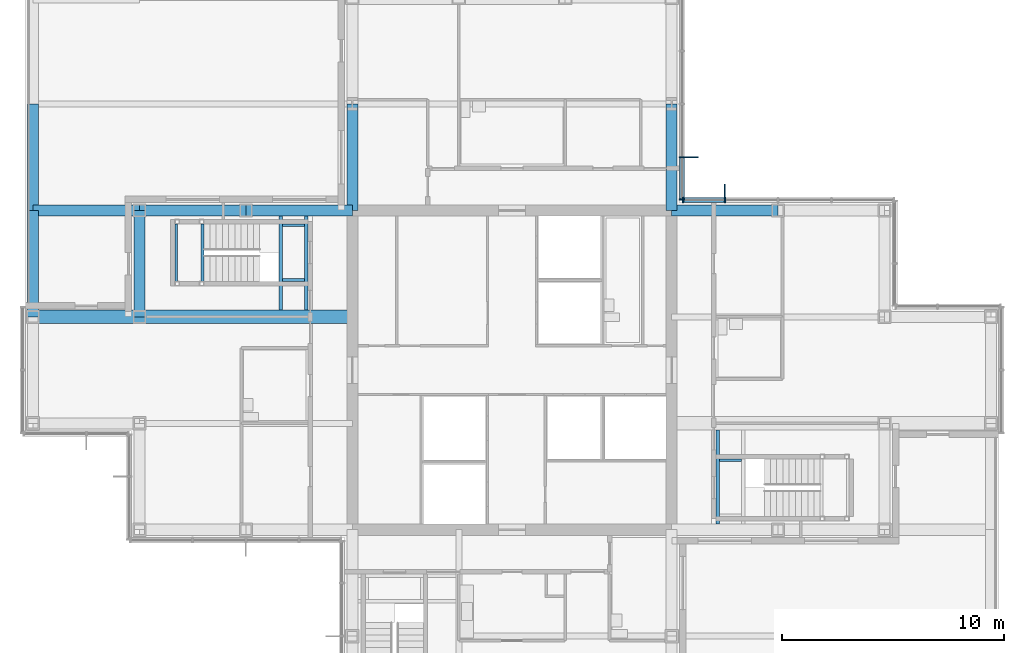
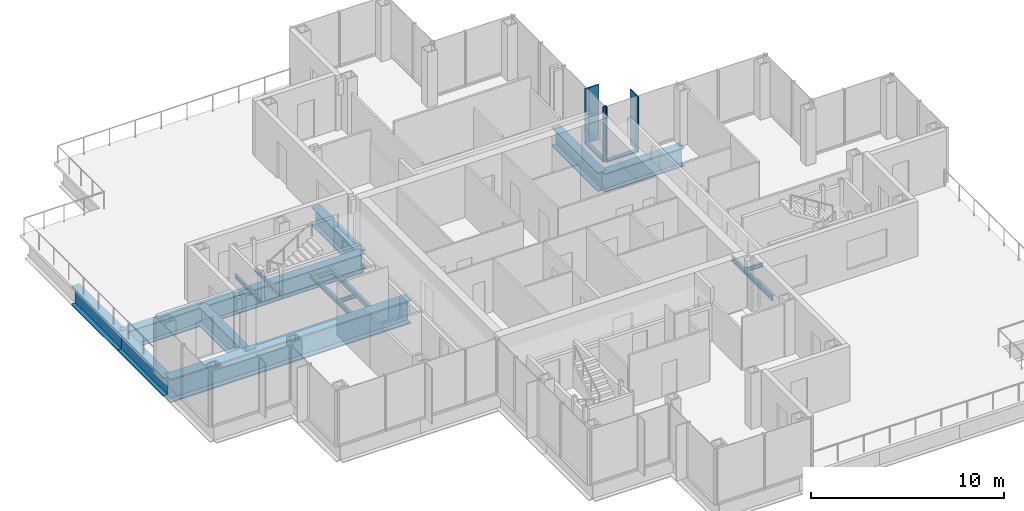
# One storey, part 7 of 17: 18 beams, 8 members, 2 elements without a shape of their own.
"""IFC4 building model written with IfcOpenShell, lengths in metres."""

from ifc_helpers import new_model, si_unit, direction, frame, origin, origin_2d, place, context, subcontext, project, spatial, rectangle, i_section, extrude, material, material_profile, profile_set, type_object, element, aggregate, save


model = new_model("IFC4")

# Units and contexts
model_context = context("Model", 3, precision=1e-05, world=origin(), true_north=direction((0.0, 1.0)))
body_context = subcontext(model_context, "Body", "Model", "MODEL_VIEW")
ifc_project = project(units=[si_unit("LENGTHUNIT", "METRE"), si_unit("AREAUNIT", "SQUARE_METRE"), si_unit("VOLUMEUNIT", "CUBIC_METRE"), si_unit("PLANEANGLEUNIT", "RADIAN"), si_unit("MASSUNIT", "GRAM", prefix="KILO")], contexts=[model_context])

# Site, building, storey
site_placement = place(None, origin())
site = spatial("IfcSite", under=ifc_project, at=site_placement, CompositionType="ELEMENT")
building_placement = place(site_placement, origin())
building = spatial("IfcBuilding", under=site, at=building_placement, Name="Kvirike Care Tower", CompositionType="ELEMENT")
storey_placement = place(building_placement, frame((0.0, 0.0, 141.0)))
storey = spatial("IfcBuildingStorey", under=building, at=storey_placement, Name="L38", CompositionType="ELEMENT", Elevation=141.0)

# Curtain wall, member
ifc_material_1 = material(Name="Anodised aluminium stick system", Category="aluminium")
curtain_wall_type = type_object("IfcCurtainWallType", Name="CW-C STICK CURTAIN WALL", PredefinedType="NOTDEFINED", material=ifc_material_1)
curtain_wall_1_placement = place(storey_placement, origin())
curtain_wall_1 = element("IfcCurtainWall", 1, at=curtain_wall_1_placement, inside=storey, type_object=curtain_wall_type, Name="Curtain wall L38 face 7", PredefinedType="NOTDEFINED")
ifc_material_2 = material(Name="Bronze anodised aluminium fin", Category="aluminium")
ifc_material_profile_1 = material_profile(ifc_material_2, rectangle(XDim=0.050048828125, YDim=0.60009765625, at=origin_2d()), Name="BRONZE FIN 600")
ifc_profile_set_1 = profile_set([ifc_material_profile_1], Name="Bronze anodised aluminium fin")
member_type_1 = type_object("IfcMemberType", Name="BRONZE FIN 600", PredefinedType="USERDEFINED", material=ifc_profile_set_1)
member_1_placement = place(storey_placement, frame((31.199951171875, 44.090087890625, 0.0), z_axis=(0.0, 0.0, 1.0), x_axis=(-1.0, 0.0, 0.0)))
member_1 = element("IfcMember", 2, at=member_1_placement, type_object=member_type_1, Name="Bronze fin L38 face 7.4", ObjectType="FIN", PredefinedType="USERDEFINED", context=body_context, shape_type="SweptSolid", body=[
    extrude(rectangle(XDim=0.050048828125, YDim=0.60009765625, at=origin_2d()), origin(), (0.0, 0.0, 1.0), 3.5),
])

curtain_wall_2_placement = place(storey_placement, origin())
curtain_wall_2 = element("IfcCurtainWall", 3, at=curtain_wall_2_placement, inside=storey, type_object=curtain_wall_type, Name="Curtain wall L38 face 8", PredefinedType="NOTDEFINED")
member_2_placement = place(storey_placement, frame((29.68994140625, 45.60009765625, 0.0), z_axis=(0.0, 0.0, 1.0), x_axis=(0.0, 1.0, 0.0)))
member_2 = element("IfcMember", 4, at=member_2_placement, type_object=member_type_1, Name="Bronze fin L38 face 8.2", ObjectType="FIN", PredefinedType="USERDEFINED", context=body_context, shape_type="SweptSolid", body=[
    extrude(rectangle(XDim=0.050048828125, YDim=0.60009765625, at=origin_2d()), origin(), (0.0, 0.0, 1.0), 3.5),
])

# Member
ifc_material_3 = material(Name="Bronze anodised aluminium mullion", Category="aluminium")
ifc_material_profile_2 = material_profile(ifc_material_3, rectangle(XDim=0.06494140625, YDim=0.239990234375, at=origin_2d()), Name="CW-C MULLION 65x240")
ifc_profile_set_2 = profile_set([ifc_material_profile_2], Name="Bronze anodised aluminium mullion")
member_type_2 = type_object("IfcMemberType", Name="CW-C MULLION 65x240", PredefinedType="MULLION", material=ifc_profile_set_2)
member_3_placement = place(storey_placement, frame((31.199951171875, 43.669921875, 0.0), z_axis=(0.0, 0.0, 1.0), x_axis=(-1.0, 0.0, 0.0)))
member_3 = element("IfcMember", 5, at=member_3_placement, type_object=member_type_2, Name="CW-C mullion L38 face 7.4", PredefinedType="MULLION", context=body_context, shape_type="SweptSolid", body=[
    extrude(rectangle(XDim=0.06494140625, YDim=0.239990234375, at=origin_2d()), origin(), (0.0, 0.0, 1.0), 3.5),
])

member_4_placement = place(storey_placement, frame((29.302490234375, 43.669921875, 0.0), z_axis=(0.0, 0.0, 1.0), x_axis=(-1.0, 0.0, 0.0)))
member_4 = element("IfcMember", 6, at=member_4_placement, type_object=member_type_2, Name="CW-C mullion L38 face 7.5", PredefinedType="MULLION", context=body_context, shape_type="SweptSolid", body=[
    extrude(rectangle(XDim=0.06494140625, YDim=0.239990234375, at=origin_2d()), origin(), (0.0, 0.0, 1.0), 3.5),
])

member_5_placement = place(storey_placement, frame((29.27001953125, 43.702392578125, 0.0), z_axis=(0.0, 0.0, 1.0), x_axis=(0.0, 1.0, 0.0)))
member_5 = element("IfcMember", 7, at=member_5_placement, type_object=member_type_2, Name="CW-C mullion L38 face 8.1", PredefinedType="MULLION", context=body_context, shape_type="SweptSolid", body=[
    extrude(rectangle(XDim=0.06494140625, YDim=0.239990234375, at=origin_2d()), origin(), (0.0, 0.0, 1.0), 3.5),
])

member_6_placement = place(storey_placement, frame((29.27001953125, 45.60009765625, 0.0), z_axis=(0.0, 0.0, 1.0), x_axis=(0.0, 1.0, 0.0)))
member_6 = element("IfcMember", 8, at=member_6_placement, type_object=member_type_2, Name="CW-C mullion L38 face 8.2", PredefinedType="MULLION", context=body_context, shape_type="SweptSolid", body=[
    extrude(rectangle(XDim=0.06494140625, YDim=0.239990234375, at=origin_2d()), origin(), (0.0, 0.0, 1.0), 3.5),
])

ifc_material_4 = material(Name="Bronze anodised aluminium transom", Category="aluminium")
ifc_material_profile_3 = material_profile(ifc_material_4, rectangle(XDim=0.239990234375, YDim=0.10009765625, at=origin_2d()), Name="CW-C TRANSOM 240x100")
ifc_profile_set_3 = profile_set([ifc_material_profile_3], Name="Bronze anodised aluminium transom")
member_type_3 = type_object("IfcMemberType", Name="CW-C TRANSOM 240x100", PredefinedType="USERDEFINED", material=ifc_profile_set_3)
member_7_placement = place(storey_placement, frame((31.16748046875, 43.669921875, 0.050048828125), z_axis=(-1.0, 0.0, 0.0), x_axis=(0.0, -1.0, 0.0)))
member_7 = element("IfcMember", 9, at=member_7_placement, type_object=member_type_3, Name="CW-C sill transom L38 face 7.4", ObjectType="TRANSOM", PredefinedType="USERDEFINED", context=body_context, shape_type="SweptSolid", body=[
    extrude(rectangle(XDim=0.239990234375, YDim=0.10009765625, at=origin_2d()), origin(), (0.0, 0.0, 1.0), 1.83251953125),
])

aggregate(curtain_wall_1, [member_3, member_1, member_4, member_7])

member_8_placement = place(storey_placement, frame((29.27001953125, 43.735107421875, 0.050048828125), z_axis=(0.0, 1.0, 0.0), x_axis=(-1.0, 0.0, 0.0)))
member_8 = element("IfcMember", 10, at=member_8_placement, type_object=member_type_3, Name="CW-C sill transom L38 face 8.1", ObjectType="TRANSOM", PredefinedType="USERDEFINED", context=body_context, shape_type="SweptSolid", body=[
    extrude(rectangle(XDim=0.239990234375, YDim=0.10009765625, at=origin_2d()), origin(), (0.0, 0.0, 1.0), 1.832275390625),
])

aggregate(curtain_wall_2, [member_5, member_6, member_2, member_8])

# Beams
ifc_material_5 = material(Name="Steel S355", Category="steel")
ifc_material_profile_4 = material_profile(ifc_material_5, i_section(OverallWidth=0.5, OverallDepth=1.199951171875, WebThickness=0.030029296875, FlangeThickness=0.06005859375, at=origin_2d()), Name="PG 1200x500x30x60")
ifc_profile_set_4 = profile_set([ifc_material_profile_4], Name="Steel S355")
beam_type_1 = type_object("IfcBeamType", Name="FRAME BEAM PG 1200x500x30x60", PredefinedType="BEAM", material=ifc_profile_set_4)
beam_1_placement = place(storey_placement, frame((0.0, 43.199951171875, -0.77001953125), z_axis=(1.0, 0.0, 0.0), x_axis=(0.0, 1.0, 0.0)))
element("IfcBeam", 11, at=beam_1_placement, inside=storey, type_object=beam_type_1, Name="Frame Beam K3-K4 L38", PredefinedType="BEAM", context=body_context, shape_type="SweptSolid", body=[
    extrude(i_section(OverallWidth=0.5, OverallDepth=1.199951171875, WebThickness=0.030029296875, FlangeThickness=0.06005859375, at=origin_2d()), origin(), (0.0, 0.0, 1.0), 4.800048828125),
])
ifc_material_6 = material(Name="Steel S355", Category="steel")
ifc_material_profile_5 = material_profile(ifc_material_6, i_section(OverallWidth=0.5, OverallDepth=1.199951171875, WebThickness=0.030029296875, FlangeThickness=0.06005859375, at=origin_2d()), Name="PG 1200x500x30x60")
ifc_profile_set_5 = profile_set([ifc_material_profile_5], Name="Steel S355")
beam_type_2 = type_object("IfcBeamType", Name="SPANDREL PG 1200x500x30x60", PredefinedType="SPANDREL", material=ifc_profile_set_5)
beam_2_placement = place(storey_placement, frame((4.800048828125, 43.199951171875, -0.77001953125), z_axis=(1.0, 0.0, 0.0), x_axis=(0.0, 1.0, 0.0)))
element("IfcBeam", 12, at=beam_2_placement, inside=storey, type_object=beam_type_2, Name="Spandrel K4-K5 L38", PredefinedType="SPANDREL", context=body_context, shape_type="SweptSolid", body=[
    extrude(i_section(OverallWidth=0.5, OverallDepth=1.199951171875, WebThickness=0.030029296875, FlangeThickness=0.06005859375, at=origin_2d()), origin(), (0.0, 0.0, 1.0), 4.800048828125),
])
beam_3_placement = place(storey_placement, frame((9.60009765625, 43.199951171875, -0.77001953125), z_axis=(1.0, 0.0, 0.0), x_axis=(0.0, 1.0, 0.0)))
element("IfcBeam", 13, at=beam_3_placement, inside=storey, type_object=beam_type_2, Name="Spandrel K5-K6 L38", PredefinedType="SPANDREL", context=body_context, shape_type="SweptSolid", body=[
    extrude(i_section(OverallWidth=0.5, OverallDepth=1.199951171875, WebThickness=0.030029296875, FlangeThickness=0.06005859375, at=origin_2d()), origin(), (0.0, 0.0, 1.0), 4.7998046875),
])
for number, where, z_axis, x_axis, name in (
    (14, (28.800048828125, 43.199951171875, -0.77001953125), (1.0, 0.0, 0.0), (0.0, 1.0, 0.0), "Spandrel K9-K10 L38"),
    (15, (0.0, 38.39990234375, -0.77001953125), (0.0, 1.0, 0.0), (-1.0, 0.0, 0.0), "Spandrel J3-K3 L38"),
    (16, (0.0, 43.199951171875, -0.77001953125), (0.0, 1.0, 0.0), (-1.0, 0.0, 0.0), "Spandrel K3-L3 L38"),
    (17, (4.800048828125, 38.39990234375, -0.77001953125), (0.0, 1.0, 0.0), (-1.0, 0.0, 0.0), "Spandrel J4-K4 L38"),
    (18, (14.39990234375, 43.199951171875, -0.77001953125), (0.0, 1.0, 0.0), (-1.0, 0.0, 0.0), "Spandrel K6-L6 L38"),
    (19, (28.800048828125, 43.199951171875, -0.77001953125), (0.0, 1.0, 0.0), (-1.0, 0.0, 0.0), "Spandrel K9-L9 L38"),
):
    element("IfcBeam", number, at=place(storey_placement, frame(where, z_axis=z_axis, x_axis=x_axis)), inside=storey, type_object=beam_type_2, Name=name, PredefinedType="SPANDREL", context=body_context, shape_type="SweptSolid", body=[
        extrude(i_section(OverallWidth=0.5, OverallDepth=1.199951171875, WebThickness=0.030029296875, FlangeThickness=0.06005859375, at=origin_2d()), origin(), (0.0, 0.0, 1.0), 4.800048828125),
    ])
ifc_material_7 = material(Name="Steel S355", Category="steel")
ifc_material_profile_6 = material_profile(ifc_material_7, i_section(OverallWidth=0.1201171875, OverallDepth=0.239990234375, WebThickness=0.006103515625, FlangeThickness=0.009765625, FilletRadius=0.014892578125, at=origin_2d()), Name="IPE 240")
ifc_profile_set_6 = profile_set([ifc_material_profile_6], Name="Steel S355")
beam_type_3 = type_object("IfcBeamType", Name="STAIR LANDING BEAM IPE 240", PredefinedType="BEAM", material=ifc_profile_set_6)
for number, where, z_axis, x_axis, name in (
    (20, (6.4599609375, 42.60009765625, 1.429931640625), (0.0, -1.0, 0.0), (1.0, 0.0, 0.0), "Stair 1 landing beam back L38"),
    (21, (7.639892578125, 42.60009765625, 1.429931640625), (0.0, -1.0, 0.0), (1.0, 0.0, 0.0), "Stair 1 landing beam front L38"),
):
    element("IfcBeam", number, at=place(storey_placement, frame(where, z_axis=z_axis, x_axis=x_axis)), inside=storey, type_object=beam_type_3, Name=name, PredefinedType="BEAM", context=body_context, shape_type="SweptSolid", body=[
        extrude(i_section(OverallWidth=0.1201171875, OverallDepth=0.239990234375, WebThickness=0.006103515625, FlangeThickness=0.009765625, FilletRadius=0.014892578125, at=origin_2d()), origin(), (0.0, 0.0, 1.0), 2.60009765625),
    ])
for number, where, z_axis, x_axis, name in (
    (22, (11.25, 42.5400390625, -0.320068359375), (1.0, 0.0, 0.0), (0.0, 1.0, 0.0), "Stair 1 landing edge beam 1 L38"),
    (23, (11.25, 40.06005859375, -0.320068359375), (1.0, 0.0, 0.0), (0.0, 1.0, 0.0), "Stair 1 landing edge beam 2 L38"),
    (24, (31.949951171875, 31.93994140625, -0.320068359375), (-1.0, 0.0, 0.0), (0.0, -1.0, 0.0), "Stair 2 landing edge beam 2 L38"),
):
    element("IfcBeam", number, at=place(storey_placement, frame(where, z_axis=z_axis, x_axis=x_axis)), inside=storey, type_object=beam_type_3, Name=name, PredefinedType="BEAM", context=body_context, shape_type="SweptSolid", body=[
        extrude(i_section(OverallWidth=0.1201171875, OverallDepth=0.239990234375, WebThickness=0.006103515625, FlangeThickness=0.009765625, FilletRadius=0.014892578125, at=origin_2d()), origin(), (0.0, 0.0, 1.0), 1.0),
    ])
ifc_material_8 = material(Name="Steel S355", Category="steel")
ifc_material_profile_7 = material_profile(ifc_material_8, i_section(OverallWidth=0.14990234375, OverallDepth=0.300048828125, WebThickness=0.007080078125, FlangeThickness=0.0107421875, FilletRadius=0.014892578125, at=origin_2d()), Name="IPE 300")
ifc_profile_set_7 = profile_set([ifc_material_profile_7], Name="Steel S355")
beam_type_4 = type_object("IfcBeamType", Name="STAIR TRIMMER IPE 300", PredefinedType="BEAM", material=ifc_profile_set_7)
for number, where, z_axis, x_axis, name in (
    (25, (11.175048828125, 42.949951171875, -0.35009765625), (0.0, -1.0, 0.0), (1.0, 0.0, 0.0), "Stair 1 trimmer 1 L38"),
    (26, (12.324951171875, 42.949951171875, -0.35009765625), (0.0, -1.0, 0.0), (1.0, 0.0, 0.0), "Stair 1 trimmer 2 L38"),
    (27, (30.875, 29.050048828125, -0.35009765625), (0.0, 1.0, 0.0), (-1.0, 0.0, 0.0), "Stair 2 trimmer 2 L38"),
):
    element("IfcBeam", number, at=place(storey_placement, frame(where, z_axis=z_axis, x_axis=x_axis)), inside=storey, type_object=beam_type_4, Name=name, PredefinedType="BEAM", context=body_context, shape_type="SweptSolid", body=[
        extrude(i_section(OverallWidth=0.14990234375, OverallDepth=0.300048828125, WebThickness=0.007080078125, FlangeThickness=0.0107421875, FilletRadius=0.014892578125, at=origin_2d()), origin(), (0.0, 0.0, 1.0), 4.25),
    ])
ifc_material_9 = material(Name="Steel S355", Category="steel")
ifc_material_profile_8 = material_profile(ifc_material_9, i_section(OverallWidth=0.60009765625, OverallDepth=1.5, WebThickness=0.0400390625, FlangeThickness=0.080078125, at=origin_2d()), Name="PG 1500x600x40x80")
ifc_profile_set_8 = profile_set([ifc_material_profile_8], Name="Steel S355")
beam_type_5 = type_object("IfcBeamType", Name="TRANSFER GIRDER PG 1500x600x40x80", PredefinedType="BEAM", material=ifc_profile_set_8)
beam_4_placement = place(storey_placement, frame((0.0, 38.39990234375, -0.919921875), z_axis=(1.0, 0.0, 0.0), x_axis=(0.0, 1.0, 0.0)))
element("IfcBeam", 28, at=beam_4_placement, inside=storey, type_object=beam_type_5, Name="Transfer Girder J3-J6 L38", PredefinedType="BEAM", context=body_context, shape_type="SweptSolid", body=[
    extrude(i_section(OverallWidth=0.60009765625, OverallDepth=1.5, WebThickness=0.0400390625, FlangeThickness=0.080078125, at=origin_2d()), origin(), (0.0, 0.0, 1.0), 14.39990234375),
])

save(model, "model.ifc")
